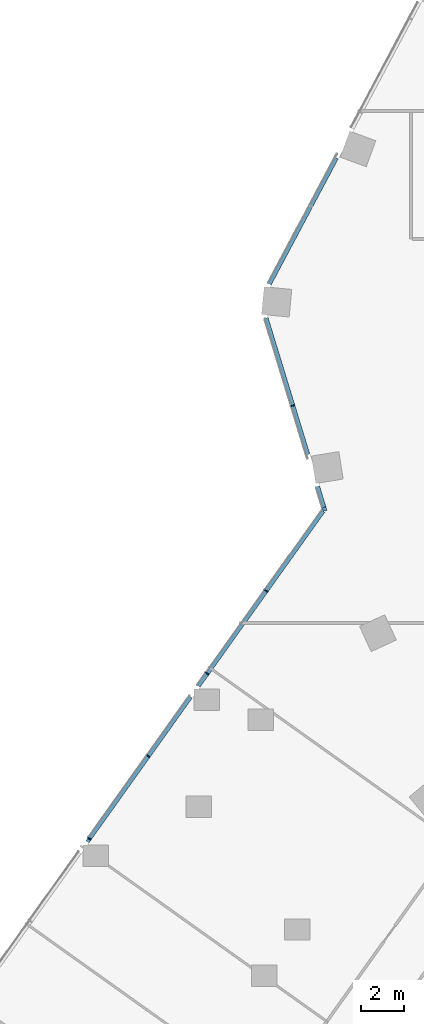
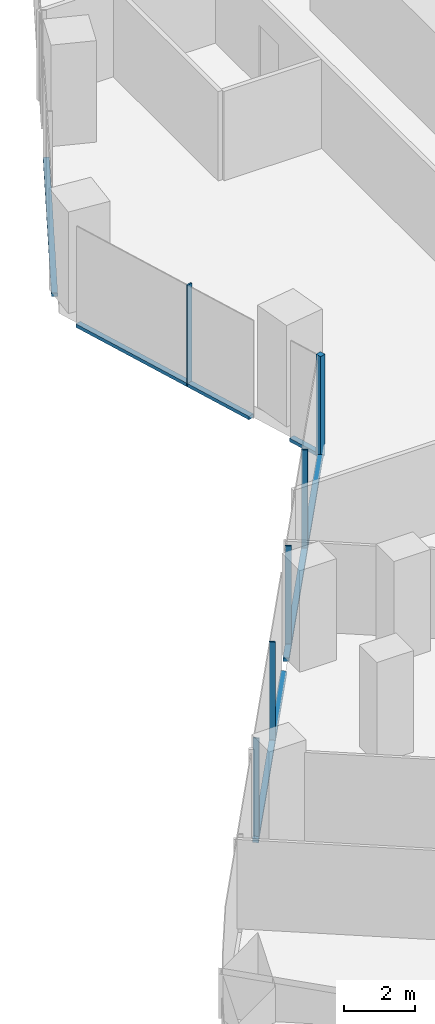
# One storey, part 7 of 31: 11 members, 3 elements without a shape of their own.
"""IFC4 building model written with IfcOpenShell, lengths in metres."""

from ifc_helpers import new_model, si_unit, direction, frame, origin, origin_2d, place, context, subcontext, project, spatial, rectangle, extrude, material, material_profile, profile_set, type_object, element, aggregate, save


model = new_model("IFC4")

# Units and contexts
model_context = context("Model", 3, precision=1e-05, world=origin(), true_north=direction((0.0, 1.0)))
body_context = subcontext(model_context, "Body", "Model", "MODEL_VIEW")
ifc_project = project(units=[si_unit("LENGTHUNIT", "METRE"), si_unit("AREAUNIT", "SQUARE_METRE"), si_unit("VOLUMEUNIT", "CUBIC_METRE"), si_unit("PLANEANGLEUNIT", "RADIAN"), si_unit("MASSUNIT", "GRAM", prefix="KILO")], contexts=[model_context])

# Site, building, storey
site_placement = place(None, origin())
site = spatial("IfcSite", under=ifc_project, at=site_placement, CompositionType="ELEMENT")
building_placement = place(site_placement, origin())
building = spatial("IfcBuilding", under=site, at=building_placement, Name="Orlundy Tower", CompositionType="ELEMENT")
storey_placement = place(building_placement, frame((0.0, 0.0, 94.699951171875)))
storey = spatial("IfcBuildingStorey", under=building, at=storey_placement, Name="L23", CompositionType="ELEMENT", Elevation=94.699951171875)

# Curtain wall, member
ifc_material_1 = material(Name="Aluminium bronze anodised", Category="aluminium")
curtain_wall_type = type_object("IfcCurtainWallType", Name="CW1 wall", PredefinedType="NOTDEFINED", material=ifc_material_1)
curtain_wall_1_placement = place(storey_placement, origin())
curtain_wall_1 = element("IfcCurtainWall", 1, at=curtain_wall_1_placement, inside=storey, type_object=curtain_wall_type, Name="CW1 run 01", PredefinedType="NOTDEFINED")
ifc_material_2 = material(Name="Aluminium bronze anodised", Category="aluminium")
ifc_material_profile_1 = material_profile(ifc_material_2, rectangle(XDim=0.179931640625, YDim=0.179931640625, at=origin_2d()), Name="CW1 corner post 180x180")
ifc_profile_set_1 = profile_set([ifc_material_profile_1], Name="Aluminium bronze anodised")
member_type_1 = type_object("IfcMemberType", Name="CW1 corner post 180x180", PredefinedType="MULLION", material=ifc_profile_set_1)
member_1_placement = place(storey_placement, frame((-29.427978515625, -6.660888671875, -0.39990234375), z_axis=(0.0, 0.0, 1.0), x_axis=(-0.956299228529, -0.292389783533, 0.0)))
member_1 = element("IfcMember", 2, at=member_1_placement, type_object=member_type_1, Name="CW1 mullion 7", PredefinedType="MULLION", context=body_context, shape_type="SweptSolid", body=[
    extrude(rectangle(XDim=0.179931640625, YDim=0.179931640625, at=origin_2d()), origin(), (0.0, 0.0, 1.0), 3.5),
])

# Curtain wall, members
curtain_wall_2_placement = place(storey_placement, origin())
curtain_wall_2 = element("IfcCurtainWall", 3, at=curtain_wall_2_placement, inside=storey, type_object=curtain_wall_type, Name="CW1 run 00", PredefinedType="NOTDEFINED")
ifc_material_3 = material(Name="Aluminium bronze anodised", Category="aluminium")
ifc_material_profile_2 = material_profile(ifc_material_3, rectangle(XDim=0.179931640625, YDim=0.050048828125, at=origin_2d()), Name="CW1 mullion 50x180")
ifc_profile_set_2 = profile_set([ifc_material_profile_2], Name="Aluminium bronze anodised")
member_type_2 = type_object("IfcMemberType", Name="CW1 mullion 50x180", PredefinedType="MULLION", material=ifc_profile_set_2)
member_2_placement = place(storey_placement, frame((-40.4482421875, -22.11083984375, -0.39990234375), z_axis=(0.0, 0.0, 1.0), x_axis=(-0.814116921316, 0.580700988829, 0.0)))
member_2 = element("IfcMember", 4, at=member_2_placement, type_object=member_type_2, Name="CW1 mullion 3", PredefinedType="MULLION", context=body_context, shape_type="SweptSolid", body=[
    extrude(rectangle(XDim=0.179931640625, YDim=0.050048828125, at=origin_2d()), origin(), (0.0, 0.0, 1.0), 3.5),
])
member_3_placement = place(storey_placement, frame((-37.686767578125, -18.2392578125, -0.39990234375), z_axis=(0.0, 0.0, 1.0), x_axis=(-0.814116921316, 0.580700988829, 0.0)))
member_3 = element("IfcMember", 5, at=member_3_placement, type_object=member_type_2, Name="CW1 mullion 4", PredefinedType="MULLION", context=body_context, shape_type="SweptSolid", body=[
    extrude(rectangle(XDim=0.179931640625, YDim=0.050048828125, at=origin_2d()), origin(), (0.0, 0.0, 1.0), 3.5),
])
member_4_placement = place(storey_placement, frame((-34.92529296875, -14.36767578125, -0.39990234375), z_axis=(0.0, 0.0, 1.0), x_axis=(-0.814116921316, 0.580700988829, 0.0)))
member_4 = element("IfcMember", 6, at=member_4_placement, type_object=member_type_2, Name="CW1 mullion 5", PredefinedType="MULLION", context=body_context, shape_type="SweptSolid", body=[
    extrude(rectangle(XDim=0.179931640625, YDim=0.050048828125, at=origin_2d()), origin(), (0.0, 0.0, 1.0), 3.5),
])
member_5_placement = place(storey_placement, frame((-32.163818359375, -10.496337890625, -0.39990234375), z_axis=(0.0, 0.0, 1.0), x_axis=(-0.814116921316, 0.580700988829, 0.0)))
member_5 = element("IfcMember", 7, at=member_5_placement, type_object=member_type_2, Name="CW1 mullion 6", PredefinedType="MULLION", context=body_context, shape_type="SweptSolid", body=[
    extrude(rectangle(XDim=0.179931640625, YDim=0.050048828125, at=origin_2d()), origin(), (0.0, 0.0, 1.0), 3.5),
])

# Member
member_6_placement = place(storey_placement, frame((-30.91162109375, -1.808837890625, -0.39990234375), z_axis=(0.0, 0.0, 1.0), x_axis=(-0.956299228529, -0.292389783533, 0.0)))
member_6 = element("IfcMember", 8, at=member_6_placement, type_object=member_type_2, Name="CW1 mullion 8", PredefinedType="MULLION", context=body_context, shape_type="SweptSolid", body=[
    extrude(rectangle(XDim=0.179931640625, YDim=0.050048828125, at=origin_2d()), origin(), (0.0, 0.0, 1.0), 3.5),
])

ifc_material_4 = material(Name="Aluminium bronze anodised", Category="aluminium")
ifc_material_profile_3 = material_profile(ifc_material_4, rectangle(XDim=0.179931640625, YDim=0.1201171875, at=origin_2d()), Name="CW1 transom 180x120")
ifc_profile_set_3 = profile_set([ifc_material_profile_3], Name="Aluminium bronze anodised")
member_type_3 = type_object("IfcMemberType", Name="CW1 transom 180x120", PredefinedType="USERDEFINED", material=ifc_profile_set_3)
member_7_placement = place(storey_placement, frame((-40.547607421875, -22.25, -0.33984375), z_axis=(0.580695047202, 0.814121159383, 0.0), x_axis=(-0.814121159383, 0.580695047202, 0.0)))
member_7 = element("IfcMember", 9, at=member_7_placement, type_object=member_type_3, Name="CW1 transom", ObjectType="TRANSOM", PredefinedType="USERDEFINED", context=body_context, shape_type="SweptSolid", body=[
    extrude(rectangle(XDim=0.179931640625, YDim=0.1201171875, at=origin_2d()), origin(), (0.0, 0.0, 1.0), 8.3359375),
])

member_8_placement = place(storey_placement, frame((-35.340576171875, -14.949951171875, -0.33984375), z_axis=(0.580701325073, 0.814116681477, 0.0), x_axis=(-0.814116681477, 0.580701325073, 0.0)))
member_8 = element("IfcMember", 10, at=member_8_placement, type_object=member_type_3, Name="CW1 transom", ObjectType="TRANSOM", PredefinedType="USERDEFINED", context=body_context, shape_type="SweptSolid", body=[
    extrude(rectangle(XDim=0.179931640625, YDim=0.1201171875, at=origin_2d()), origin(), (0.0, 0.0, 1.0), 10.068359375),
])

aggregate(curtain_wall_2, [member_2, member_3, member_4, member_5, member_7, member_8])

member_9_placement = place(storey_placement, frame((-29.454345703125, -6.57470703125, -0.33984375), z_axis=(-0.292491498348, 0.956268123172, 0.0), x_axis=(-0.956268123172, -0.292491498348, 0.0)))
member_9 = element("IfcMember", 11, at=member_9_placement, type_object=member_type_3, Name="CW1 transom", ObjectType="TRANSOM", PredefinedType="USERDEFINED", context=body_context, shape_type="SweptSolid", body=[
    extrude(rectangle(XDim=0.179931640625, YDim=0.1201171875, at=origin_2d()), origin(), (0.0, 0.0, 1.0), 1.0224609375),
])

member_10_placement = place(storey_placement, frame((-30.211181640625, -4.099853515625, -0.33984375), z_axis=(-0.292366048802, 0.956306485133, 0.0), x_axis=(-0.956306485133, -0.292366048802, 0.0)))
member_10 = element("IfcMember", 12, at=member_10_placement, type_object=member_type_3, Name="CW1 transom", ObjectType="TRANSOM", PredefinedType="USERDEFINED", context=body_context, shape_type="SweptSolid", body=[
    extrude(rectangle(XDim=0.179931640625, YDim=0.1201171875, at=origin_2d()), origin(), (0.0, 0.0, 1.0), 6.685302734375),
])

aggregate(curtain_wall_1, [member_1, member_6, member_9, member_10])

# Curtain wall, member
curtain_wall_3_placement = place(storey_placement, origin())
curtain_wall_3 = element("IfcCurtainWall", 13, at=curtain_wall_3_placement, inside=storey, type_object=curtain_wall_type, Name="CW1 run 02", PredefinedType="NOTDEFINED")
member_11_placement = place(storey_placement, frame((-32.012451171875, 3.885986328125, -0.33984375), z_axis=(0.469468302858, 0.882949326186, 0.0), x_axis=(-0.882949326186, 0.469468302858, 0.0)))
member_11 = element("IfcMember", 14, at=member_11_placement, type_object=member_type_3, Name="CW1 transom", ObjectType="TRANSOM", PredefinedType="USERDEFINED", context=body_context, shape_type="SweptSolid", body=[
    extrude(rectangle(XDim=0.179931640625, YDim=0.1201171875, at=origin_2d()), origin(), (0.0, 0.0, 1.0), 6.689208984375),
])
aggregate(curtain_wall_3, [member_11])

save(model, "model.ifc")
